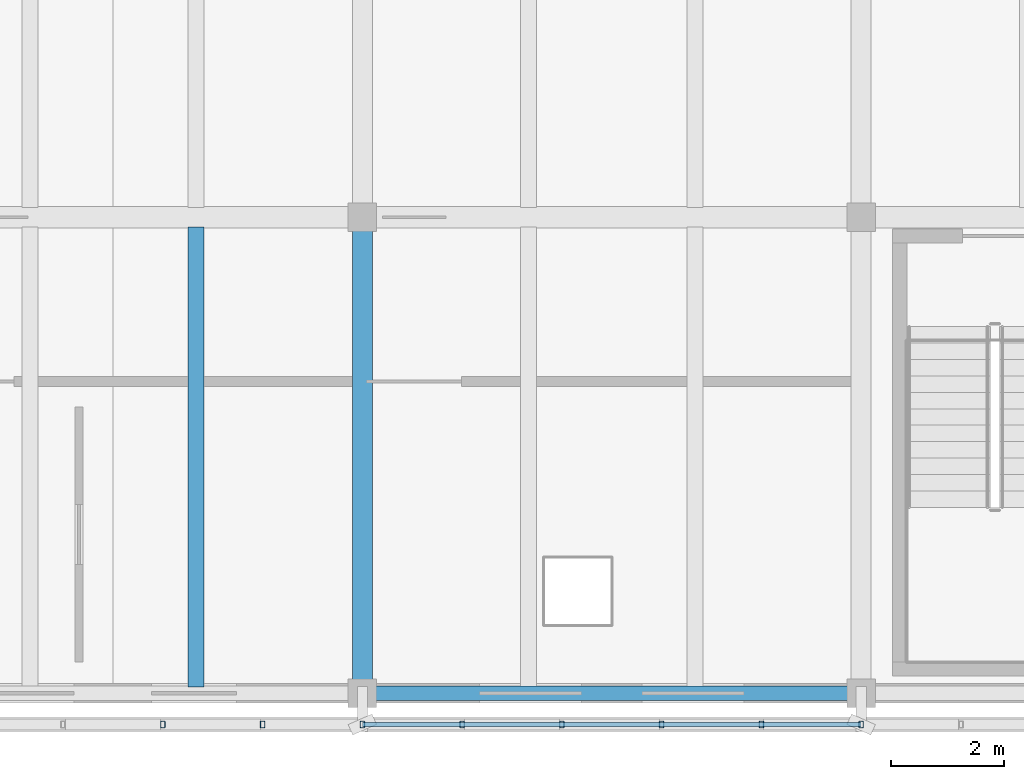
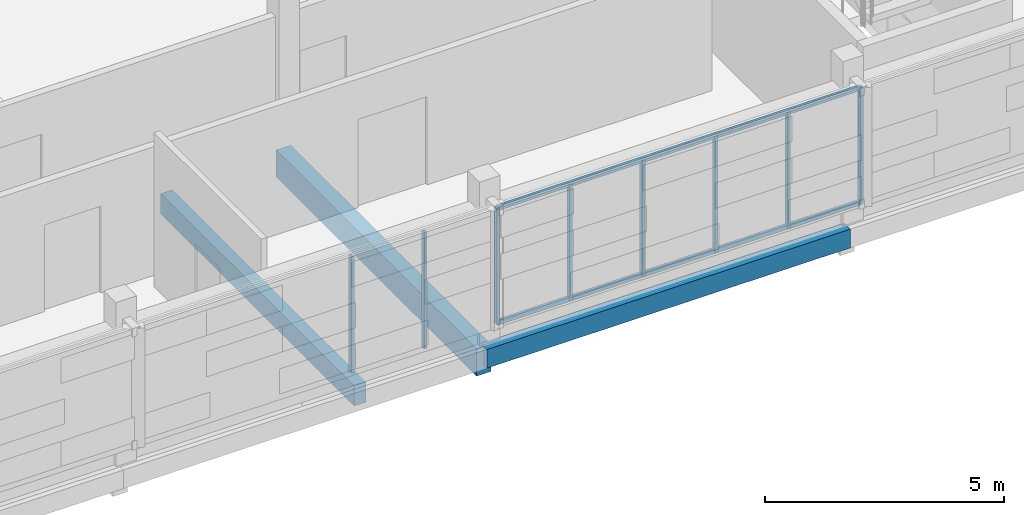
# One storey, part 26 of 137: 10 members, 3 beams.
"""IFC4 building model written with IfcOpenShell, lengths in metres."""

from ifc_helpers import new_model, si_unit, direction, frame, origin, origin_2d, place, context, subcontext, project, spatial, rectangle, hollow_rectangle, extrude, material, material_profile, profile_set, type_object, element, save


model = new_model("IFC4")

# Units and contexts
model_context = context("Model", 3, precision=1e-05, world=origin(), true_north=direction((0.0, 1.0)))
body_context = subcontext(model_context, "Body", "Model", "MODEL_VIEW")
ifc_project = project(units=[si_unit("LENGTHUNIT", "METRE"), si_unit("AREAUNIT", "SQUARE_METRE"), si_unit("VOLUMEUNIT", "CUBIC_METRE"), si_unit("PLANEANGLEUNIT", "RADIAN"), si_unit("MASSUNIT", "GRAM", prefix="KILO")], contexts=[model_context])

# Site, building, storey
site_placement = place(None, origin())
site = spatial("IfcSite", under=ifc_project, at=site_placement, CompositionType="ELEMENT")
building_placement = place(site_placement, origin())
building = spatial("IfcBuilding", under=site, at=building_placement, Name="Cinderway Yard Community Centre", CompositionType="ELEMENT")
storey_placement = place(building_placement, frame((0.0, 0.0, 4.800048828125)))
storey = spatial("IfcBuildingStorey", under=building, at=storey_placement, Name="L01", CompositionType="ELEMENT", Elevation=4.800048828125)

# Members
ifc_material_1 = material(Name="Steel S355", Category="steel")
ifc_material_profile_1 = material_profile(ifc_material_1, hollow_rectangle(XDim=0.080078125, YDim=0.1201171875, WallThickness=0.00634765625, InnerFilletRadius=0.00634765625, OuterFilletRadius=0.0126953125, at=origin_2d()), Name="Steel S355")
ifc_profile_set_1 = profile_set([ifc_material_profile_1], Name="Steel S355")
member_type = type_object("IfcMemberType", Name="ENV-MEM-SCREEN-RAIL-120", PredefinedType="STRINGER", material=ifc_profile_set_1)
for number, where, z_axis, x_axis, name in (
    (1, (89.280029296875, 5.449951171875, 0.68994140625), (0.0, 0.0, 1.0), (1.0, 0.0, 0.0), "Screen vertical mullion 0573"),
    (2, (91.0400390625, 5.449951171875, 0.68994140625), (0.0, 0.0, 1.0), (1.0, 0.0, 0.0), "Screen vertical mullion 0574"),
    (3, (92.800048828125, 5.449951171875, 0.68994140625), (0.0, 0.0, 1.0), (1.0, 0.0, 0.0), "Screen vertical mullion 0575"),
):
    element("IfcMember", number, at=place(storey_placement, frame(where, z_axis=z_axis, x_axis=x_axis)), inside=storey, type_object=member_type, Name=name, PredefinedType="STRINGER", context=body_context, shape_type="SweptSolid", body=[
        extrude(hollow_rectangle(XDim=0.080078125, YDim=0.1201171875, WallThickness=0.00634765625, InnerFilletRadius=0.00634765625, OuterFilletRadius=0.0126953125, at=origin_2d()), origin(), (0.0, 0.0, 1.0), 2.969970703125),
    ])
for number, where, z_axis, x_axis, name in (
    (4, (92.800048828125, 5.449951171875, 0.7099609375), (1.0, 0.0, 0.0), (0.0, 1.0, 0.0), "Screen support rail 0577-BOT"),
    (5, (92.800048828125, 5.449951171875, 3.639892578125), (1.0, 0.0, 0.0), (0.0, 1.0, 0.0), "Screen support rail 0578-TOP"),
):
    element("IfcMember", number, at=place(storey_placement, frame(where, z_axis=z_axis, x_axis=x_axis)), inside=storey, type_object=member_type, Name=name, PredefinedType="STRINGER", context=body_context, shape_type="SweptSolid", body=[
        extrude(hollow_rectangle(XDim=0.080078125, YDim=0.1201171875, WallThickness=0.00634765625, InnerFilletRadius=0.00634765625, OuterFilletRadius=0.0126953125, at=origin_2d()), origin(), (0.0, 0.0, 1.0), 8.800048828125),
    ])
for number, where, z_axis, x_axis, name in (
    (6, (94.56005859375, 5.449951171875, 0.68994140625), (0.0, 0.0, 1.0), (1.0, 0.0, 0.0), "Screen vertical mullion 0579"),
    (7, (96.320068359375, 5.449951171875, 0.68994140625), (0.0, 0.0, 1.0), (1.0, 0.0, 0.0), "Screen vertical mullion 0580"),
    (8, (98.080078125, 5.449951171875, 0.68994140625), (0.0, 0.0, 1.0), (1.0, 0.0, 0.0), "Screen vertical mullion 0581"),
    (9, (99.840087890625, 5.449951171875, 0.68994140625), (0.0, 0.0, 1.0), (1.0, 0.0, 0.0), "Screen vertical mullion 0582"),
    (10, (101.60009765625, 5.449951171875, 0.68994140625), (0.0, 0.0, 1.0), (1.0, 0.0, 0.0), "Screen vertical mullion 0583"),
):
    element("IfcMember", number, at=place(storey_placement, frame(where, z_axis=z_axis, x_axis=x_axis)), inside=storey, type_object=member_type, Name=name, PredefinedType="STRINGER", context=body_context, shape_type="SweptSolid", body=[
        extrude(hollow_rectangle(XDim=0.080078125, YDim=0.1201171875, WallThickness=0.00634765625, InnerFilletRadius=0.00634765625, OuterFilletRadius=0.0126953125, at=origin_2d()), origin(), (0.0, 0.0, 1.0), 2.969970703125),
    ])

# Beams
ifc_material_2 = material(Name="Concrete C40/50", Category="concrete")
ifc_material_profile_2 = material_profile(ifc_material_2, rectangle(XDim=0.260009765625, YDim=0.47998046875, at=origin_2d()), Name="Concrete C40/50")
ifc_profile_set_2 = profile_set([ifc_material_profile_2], Name="Concrete C40/50")
beam_type_1 = type_object("IfcBeamType", Name="STR-BM-RC260X480", PredefinedType="SPANDREL", material=ifc_profile_set_2)
beam_1_placement = place(storey_placement, frame((92.800048828125, 6.0, -0.47998046875), z_axis=(1.0, 0.0, 0.0), x_axis=(0.0, 1.0, 0.0)))
element("IfcBeam", 11, at=beam_1_placement, inside=storey, type_object=beam_type_1, Name="Primary girder STR-BM-L01-SP01-0115", PredefinedType="SPANDREL", context=body_context, shape_type="SweptSolid", body=[
    extrude(rectangle(XDim=0.260009765625, YDim=0.47998046875, at=origin_2d()), origin(), (0.0, 0.0, 1.0), 8.800048828125),
])
ifc_material_3 = material(Name="Concrete C35/45", Category="concrete")
ifc_material_profile_3 = material_profile(ifc_material_3, rectangle(XDim=0.280029296875, YDim=0.52001953125, at=origin_2d()), Name="Concrete C35/45")
ifc_profile_set_3 = profile_set([ifc_material_profile_3], Name="Concrete C35/45")
beam_type_2 = type_object("IfcBeamType", Name="STR-BM-RC280X520", PredefinedType="JOIST", material=ifc_profile_set_3)
beam_2_placement = place(storey_placement, frame((89.866943359375, 6.112060546875, -0.5), z_axis=(0.0, 1.0, 0.0), x_axis=(-1.0, 0.0, 0.0)))
element("IfcBeam", 12, at=beam_2_placement, inside=storey, type_object=beam_type_2, Name="Secondary joist STR-BM-L01-BJ04-0158", PredefinedType="JOIST", context=body_context, shape_type="SweptSolid", body=[
    extrude(rectangle(XDim=0.280029296875, YDim=0.52001953125, at=origin_2d()), origin(), (0.0, 0.0, 1.0), 8.115966796875),
])
ifc_material_profile_4 = material_profile(ifc_material_3, rectangle(XDim=0.35009765625, YDim=0.699951171875, at=origin_2d()), Name="Concrete C35/45")
ifc_profile_set_4 = profile_set([ifc_material_profile_4], Name="Concrete C35/45")
beam_type_3 = type_object("IfcBeamType", Name="STR-BM-RC350X700", PredefinedType="BEAM", material=ifc_profile_set_4)
beam_3_placement = place(storey_placement, frame((92.800048828125, 6.0, -0.590087890625), z_axis=(0.0, 1.0, 0.0), x_axis=(-1.0, 0.0, 0.0)))
element("IfcBeam", 13, at=beam_3_placement, inside=storey, type_object=beam_type_3, Name="Transverse girder STR-BM-L01-BG07-0139", PredefinedType="BEAM", context=body_context, shape_type="SweptSolid", body=[
    extrude(rectangle(XDim=0.35009765625, YDim=0.699951171875, at=origin_2d()), origin(), (0.0, 0.0, 1.0), 8.39990234375),
])

save(model, "model.ifc")
